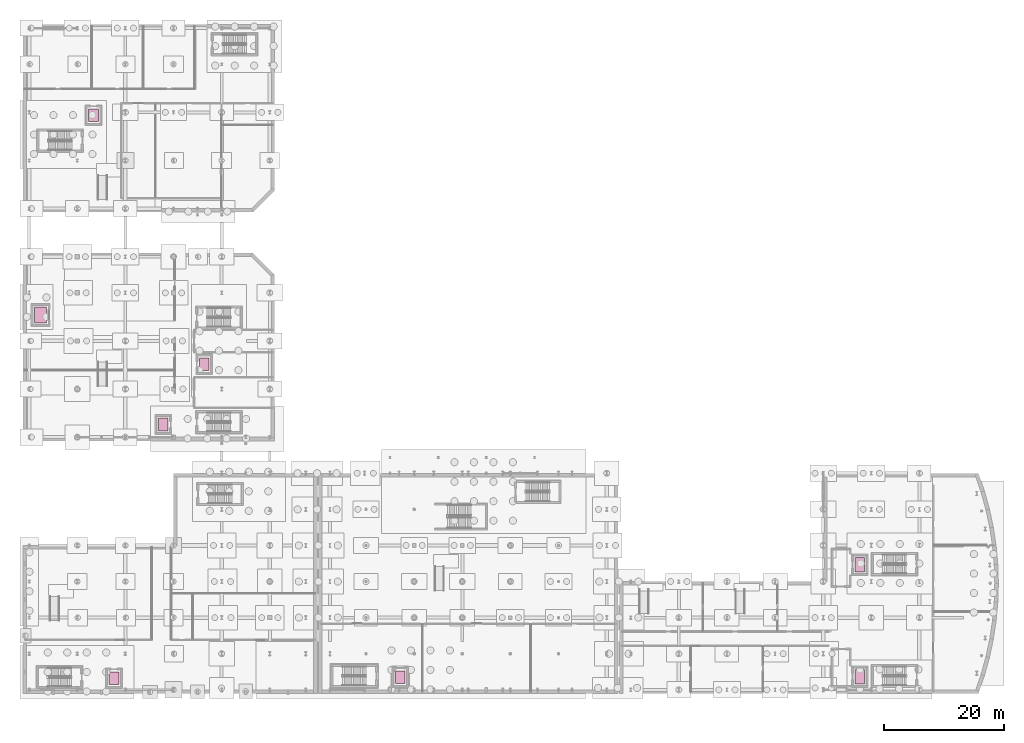
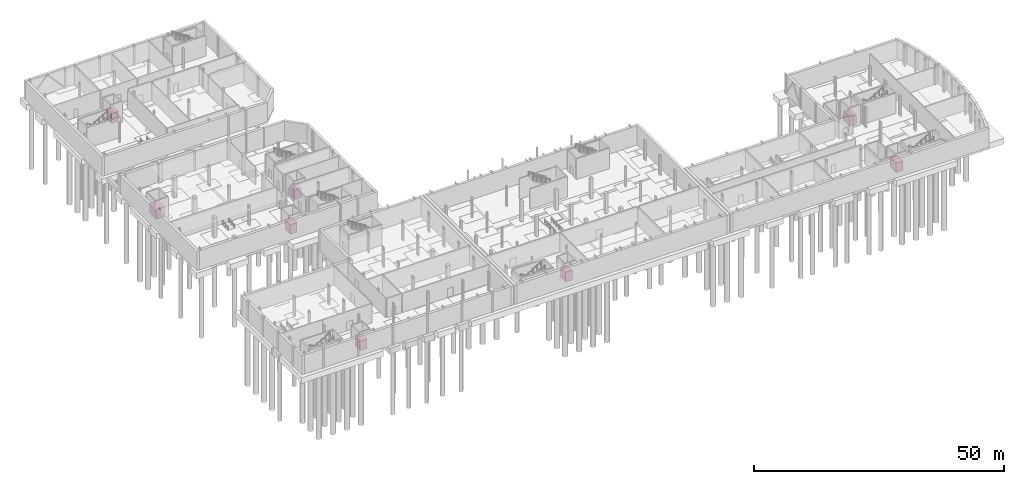
# One storey, part 47 of 47: 8 transport elements.
"""IFC4 building model written with IfcOpenShell, lengths in metres."""

from ifc_helpers import new_model, si_unit, direction, frame, origin, origin_2d, place, context, subcontext, project, spatial, rectangle, extrude, material, type_object, element, save


model = new_model("IFC4")

# Units and contexts
model_context = context("Model", 3, precision=1e-05, world=origin(), true_north=direction((0.0, 1.0)))
body_context = subcontext(model_context, "Body", "Model", "MODEL_VIEW")
ifc_project = project(units=[si_unit("LENGTHUNIT", "METRE"), si_unit("AREAUNIT", "SQUARE_METRE"), si_unit("VOLUMEUNIT", "CUBIC_METRE"), si_unit("PLANEANGLEUNIT", "RADIAN"), si_unit("MASSUNIT", "GRAM", prefix="KILO")], contexts=[model_context])

# Site, building, storey
site_placement = place(None, origin())
site = spatial("IfcSite", under=ifc_project, at=site_placement, CompositionType="ELEMENT")
building_placement = place(site_placement, origin())
building = spatial("IfcBuilding", under=site, at=building_placement, Name="Cymarion Research Institute", CompositionType="ELEMENT")
storey_placement = place(building_placement, frame((0.0, 0.0, -5.0)))
storey = spatial("IfcBuildingStorey", under=building, at=storey_placement, Name="B1", CompositionType="ELEMENT", Elevation=-5.0)

# Transport elements
ifc_material = material(Name="Stainless steel car enclosure", Category="steel")
transport_element_type_1 = type_object("IfcTransportElementType", Name="ELECTRIC TRACTION ELEVATOR CAR LFT-FF 1600X2400", PredefinedType="ELEVATOR", material=ifc_material)
for number, where, z_axis, x_axis, name in (
    (1, (144.699951171875, 7.699951171875, 0.0), (0.0, 0.0, 1.0), (1.0, 0.0, 0.0), "Elevator LF1 car"),
    (2, (144.699951171875, 26.300048828125, 0.0), (0.0, 0.0, 1.0), (1.0, 0.0, 0.0), "Elevator LF2 car"),
):
    element("IfcTransportElement", number, at=place(storey_placement, frame(where, z_axis=z_axis, x_axis=x_axis)), inside=storey, type_object=transport_element_type_1, Name=name, PredefinedType="ELEVATOR", context=body_context, shape_type="SweptSolid", body=[
        extrude(rectangle(XDim=1.60009765625, YDim=2.39990234375, at=origin_2d()), origin(), (0.0, 0.0, 1.0), 2.39990234375),
    ])
transport_element_type_2 = type_object("IfcTransportElementType", Name="ELECTRIC TRACTION ELEVATOR CAR LFT-GDS 2000X2600", PredefinedType="ELEVATOR", material=ifc_material)
transport_element_placement = place(storey_placement, frame((8.5, 67.800048828125, 0.0), z_axis=(0.0, 0.0, 1.0), x_axis=(1.0, 0.0, 0.0)))
element("IfcTransportElement", 3, at=transport_element_placement, inside=storey, type_object=transport_element_type_2, Name="Goods elevator LG1 car", PredefinedType="ELEVATOR", context=body_context, shape_type="SweptSolid", body=[
    extrude(rectangle(XDim=2.0, YDim=2.60009765625, at=origin_2d()), origin(), (0.0, 0.0, 1.0), 2.39990234375),
])
transport_element_type_3 = type_object("IfcTransportElementType", Name="ELECTRIC TRACTION ELEVATOR CAR LFT-PAX 1600X2100", PredefinedType="ELEVATOR", material=ifc_material)
for number, where, z_axis, x_axis, name in (
    (4, (68.300048828125, 7.60009765625, 0.0), (0.0, 0.0, 1.0), (1.0, 0.0, 0.0), "Elevator LP2 car"),
    (5, (20.699951171875, 7.39990234375, 0.0), (0.0, 0.0, 1.0), (1.0, 0.0, 0.0), "Elevator LP3 car"),
    (6, (28.89990234375, 49.60009765625, 0.0), (0.0, 0.0, 1.0), (1.0, 0.0, 0.0), "Elevator LP1 car"),
    (7, (35.699951171875, 59.60009765625, 0.0), (0.0, 0.0, 1.0), (1.0, 0.0, 0.0), "Elevator LP4 car"),
    (8, (17.300048828125, 101.0, 0.0), (0.0, 0.0, 1.0), (1.0, 0.0, 0.0), "Elevator LP5 car"),
):
    element("IfcTransportElement", number, at=place(storey_placement, frame(where, z_axis=z_axis, x_axis=x_axis)), inside=storey, type_object=transport_element_type_3, Name=name, PredefinedType="ELEVATOR", context=body_context, shape_type="SweptSolid", body=[
        extrude(rectangle(XDim=1.60009765625, YDim=2.10009765625, at=origin_2d()), origin(), (0.0, 0.0, 1.0), 2.39990234375),
    ])

save(model, "model.ifc")
